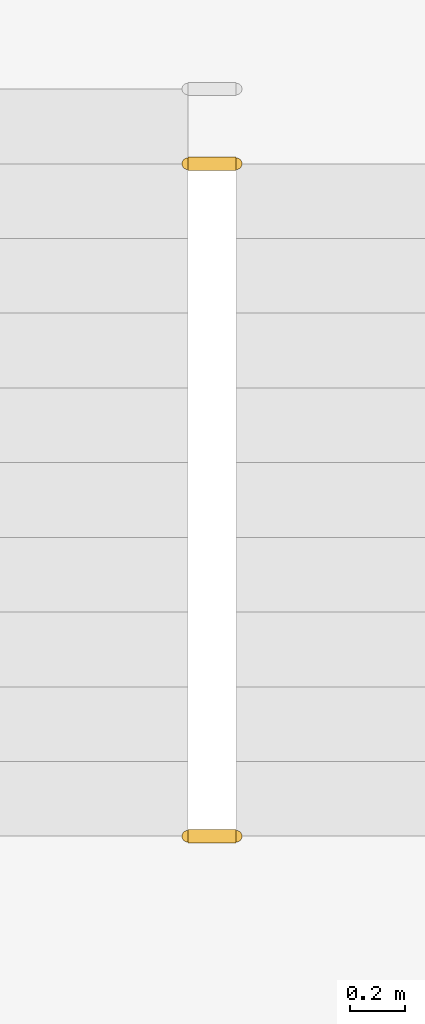
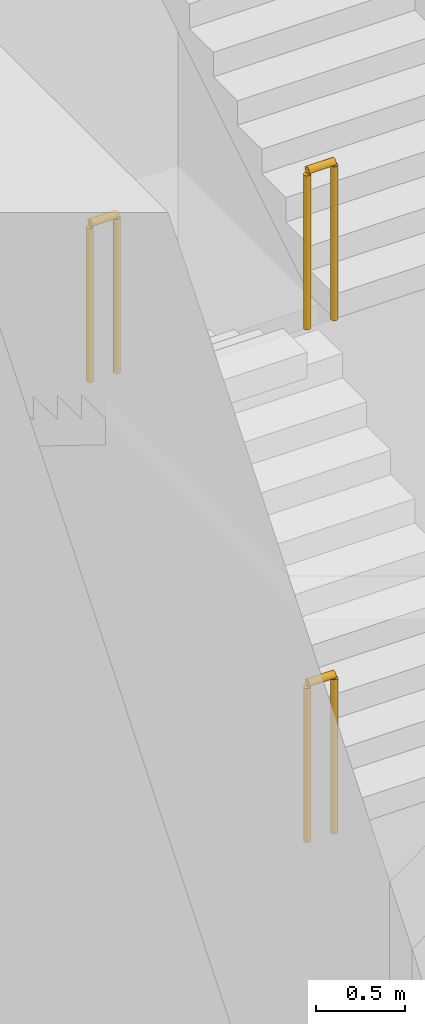
# One storey, part 15 of 18: 3 railings.
"""IFC4 building model written with IfcOpenShell, lengths in metres."""

from ifc_helpers import new_model, si_unit, direction, frame, origin, origin_2d, place, context, subcontext, project, spatial, circle, extrude, material, type_object, element, save


model = new_model("IFC4")

# Units and contexts
model_context = context("Model", 3, precision=1e-05, world=origin(), true_north=direction((0.0, 1.0)))
body_context = subcontext(model_context, "Body", "Model", "MODEL_VIEW")
ifc_project = project(units=[si_unit("LENGTHUNIT", "METRE"), si_unit("AREAUNIT", "SQUARE_METRE"), si_unit("VOLUMEUNIT", "CUBIC_METRE"), si_unit("PLANEANGLEUNIT", "RADIAN"), si_unit("MASSUNIT", "GRAM", prefix="KILO")], contexts=[model_context])

# Site, building, storey
site_placement = place(None, origin())
site = spatial("IfcSite", under=ifc_project, at=site_placement, CompositionType="ELEMENT")
building_placement = place(site_placement, origin())
building = spatial("IfcBuilding", under=site, at=building_placement, Name="Isbrekke Arena Tower", CompositionType="ELEMENT")
storey_placement = place(building_placement, frame((0.0, 0.0, 12.0)))
storey = spatial("IfcBuildingStorey", under=building, at=storey_placement, Name="L02", CompositionType="ELEMENT", Elevation=12.0)

# Railings
ifc_material = material(Name="Steel stair guard, vertical bars, steel handrail", Category="steel")
railing_type = type_object("IfcRailingType", Name="GR3 STAIR WELL GUARD 1100", PredefinedType="GUARDRAIL", material=ifc_material)
for number, where, name in (
    (1, (-12.0, 19.300048828125, 1.833251953125), "GR3 stair well guard ST1 L02"),
    (2, (-12.0, 21.72998046875, 3.5), "GR3 stair well guard ST1 L02"),
    (3, (-12.0, 19.300048828125, 5.333251953125), "GR3 stair well guard ST1 L02"),
):
    element("IfcRailing", number, at=place(storey_placement, frame(where)), inside=storey, type_object=railing_type, Name=name, PredefinedType="GUARDRAIL", context=body_context, shape_type="SweptSolid", body=[
        extrude(circle(Radius=0.02392578125, at=origin_2d()), frame((0.0, 0.0, 1.076171875), z_axis=(1.0, 0.0, 0.0), x_axis=(0.0, 1.0, 0.0)), (0.0, 0.0, 1.0), 0.175048828125),
        extrude(circle(Radius=0.02099609375, at=origin_2d()), origin(), (0.0, 0.0, 1.0), 1.052001953125),
        extrude(circle(Radius=0.02099609375, at=origin_2d()), frame((0.175048828125, 0.0, 0.0)), (0.0, 0.0, 1.0), 1.052001953125),
    ])

save(model, "model.ifc")
